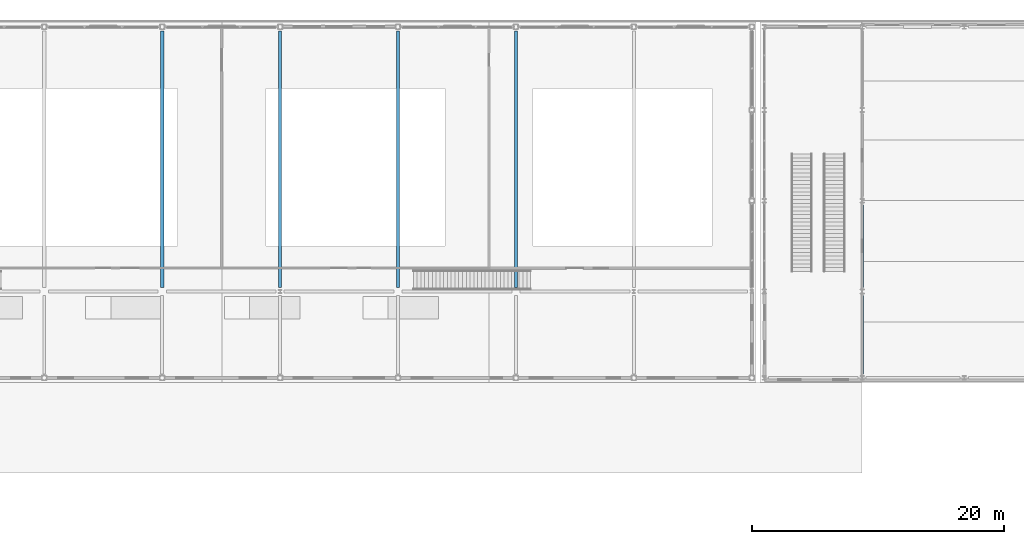
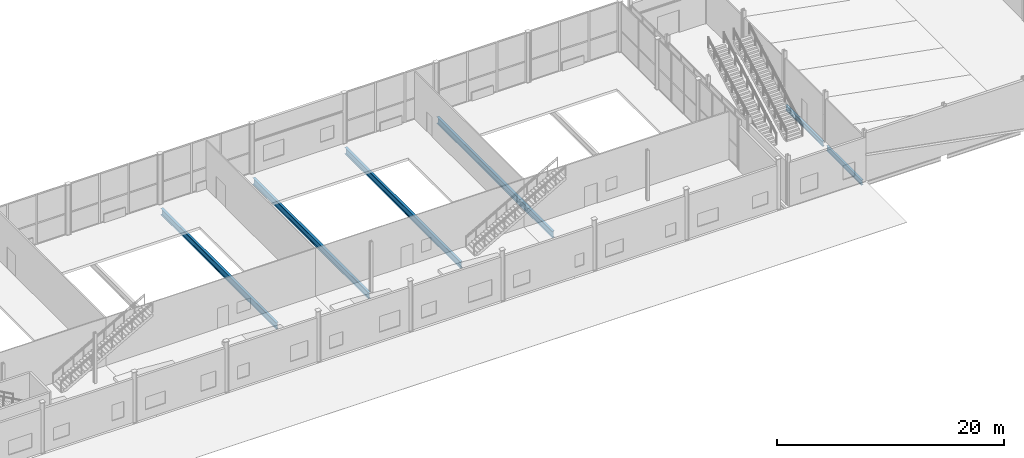
# One storey, part 44 of 83: 6 beams.
"""IFC4 building model written with IfcOpenShell, lengths in metres."""

from ifc_helpers import new_model, si_unit, direction, frame, origin, origin_2d, place, context, subcontext, project, spatial, i_section, extrude, material, material_profile, profile_set, type_object, element, save


model = new_model("IFC4")

# Units and contexts
model_context = context("Model", 3, precision=1e-05, world=origin(), true_north=direction((0.0, 1.0)))
body_context = subcontext(model_context, "Body", "Model", "MODEL_VIEW")
ifc_project = project(units=[si_unit("LENGTHUNIT", "METRE"), si_unit("AREAUNIT", "SQUARE_METRE"), si_unit("VOLUMEUNIT", "CUBIC_METRE"), si_unit("PLANEANGLEUNIT", "RADIAN"), si_unit("MASSUNIT", "GRAM", prefix="KILO")], contexts=[model_context])

# Site, building, storey
site_placement = place(None, origin())
site = spatial("IfcSite", under=ifc_project, at=site_placement, CompositionType="ELEMENT")
building_placement = place(site_placement, origin())
building = spatial("IfcBuilding", under=site, at=building_placement, Name="Quillay Park Conservatory", CompositionType="ELEMENT")
storey_placement = place(building_placement, origin())
storey = spatial("IfcBuildingStorey", under=building, at=storey_placement, Name="L00", CompositionType="ELEMENT", Elevation=0.0)

# Beams
ifc_material_1 = material(Name="Steel ASTM A992 Grade 50", Category="steel")
ifc_material_profile_1 = material_profile(ifc_material_1, i_section(OverallWidth=0.2109375, OverallDepth=0.5390625, WebThickness=0.01171875, FlangeThickness=0.018798828125, FilletRadius=0.013916015625, at=origin_2d()), Name="W530x109")
ifc_profile_set_1 = profile_set([ifc_material_profile_1], Name="Steel ASTM A992 Grade 50")
beam_type_1 = type_object("IfcBeamType", Name="PRIMARY FLOOR GIRDER W530 X109", PredefinedType="BEAM", material=ifc_profile_set_1)
beam_1_placement = place(storey_placement, frame((123.60009765625, 85.875, -0.51953125), z_axis=(0.0, 1.0, 0.0), x_axis=(-1.0, 0.0, 0.0)))
element("IfcBeam", 1, at=beam_1_placement, inside=storey, type_object=beam_type_1, Name="L00 beam BM-V2Y-1684", PredefinedType="BEAM", context=body_context, shape_type="SweptSolid", body=[
    extrude(i_section(OverallWidth=0.2109375, OverallDepth=0.5390625, WebThickness=0.01171875, FlangeThickness=0.018798828125, FilletRadius=0.013916015625, at=origin_2d()), origin(), (0.0, 0.0, 1.0), 6.199951171875),
])
beam_2_placement = place(storey_placement, frame((123.60009765625, 92.72509765625, -0.51953125), z_axis=(0.0, 1.0, 0.0), x_axis=(-1.0, 0.0, 0.0)))
element("IfcBeam", 2, at=beam_2_placement, inside=storey, type_object=beam_type_1, Name="L00 beam BM-V2Y-1685", PredefinedType="BEAM", context=body_context, shape_type="SweptSolid", body=[
    extrude(i_section(OverallWidth=0.2109375, OverallDepth=0.5390625, WebThickness=0.01171875, FlangeThickness=0.018798828125, FilletRadius=0.013916015625, at=origin_2d()), origin(), (0.0, 0.0, 1.0), 6.5498046875),
])
ifc_material_2 = material(Name="Steel ASTM A992 Grade 50", Category="steel")
ifc_material_profile_2 = material_profile(ifc_material_2, i_section(OverallWidth=0.256103515625, OverallDepth=0.693115234375, WebThickness=0.014404296875, FlangeThickness=0.023681640625, FilletRadius=0.01611328125, at=origin_2d()), Name="W690x170")
ifc_profile_set_2 = profile_set([ifc_material_profile_2], Name="Steel ASTM A992 Grade 50")
beam_type_2 = type_object("IfcBeamType", Name="PRIMARY FLOOR GIRDER W690 X170", PredefinedType="BEAM", material=ifc_profile_set_2)
for number, where, z_axis, x_axis, name in (
    (3, (68.072265625, 92.72509765625, -0.62646484375), (0.0, 1.0, 0.0), (-1.0, 0.0, 0.0), "L00 beam BM-V1T0-1638"),
    (4, (77.427734375, 92.72509765625, -0.62646484375), (0.0, 1.0, 0.0), (-1.0, 0.0, 0.0), "L00 beam BM-V1T0-1640"),
    (5, (86.783203125, 92.72509765625, -0.62646484375), (0.0, 1.0, 0.0), (-1.0, 0.0, 0.0), "L00 beam BM-V1T0-1642"),
    (6, (96.138916015625, 92.72509765625, -0.62646484375), (0.0, 1.0, 0.0), (-1.0, 0.0, 0.0), "L00 beam BM-V1T0-1644"),
):
    element("IfcBeam", number, at=place(storey_placement, frame(where, z_axis=z_axis, x_axis=x_axis)), inside=storey, type_object=beam_type_2, Name=name, PredefinedType="BEAM", context=body_context, shape_type="SweptSolid", body=[
        extrude(i_section(OverallWidth=0.256103515625, OverallDepth=0.693115234375, WebThickness=0.014404296875, FlangeThickness=0.023681640625, FilletRadius=0.01611328125, at=origin_2d()), origin(), (0.0, 0.0, 1.0), 20.349853515625),
    ])

save(model, "model.ifc")
